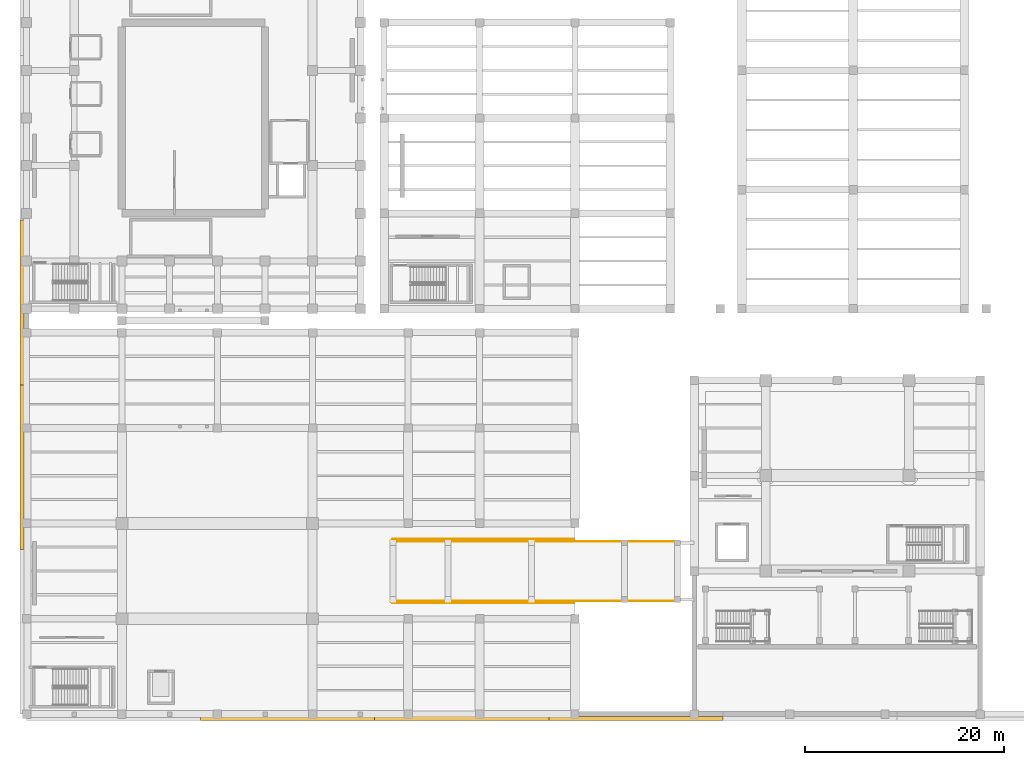
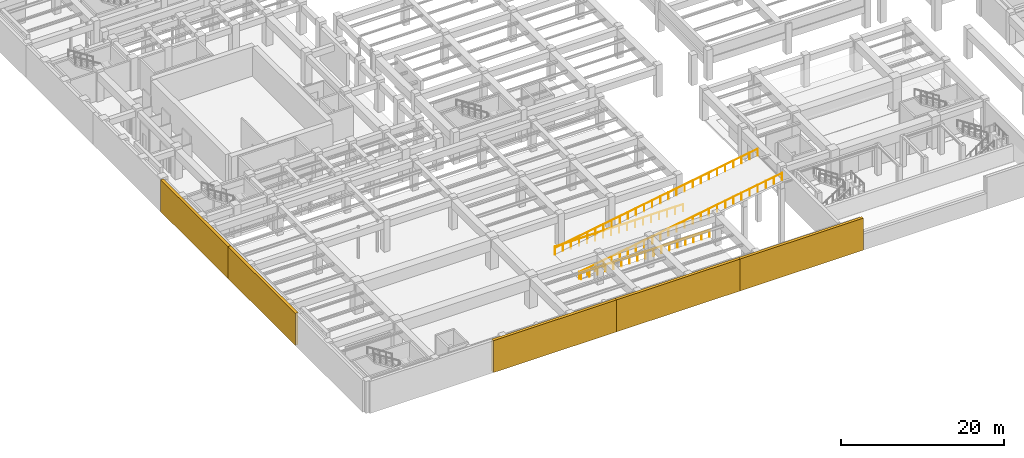
# One storey, part 33 of 45: 5 coverings, 4 railings.
"""IFC4 building model written with IfcOpenShell, lengths in metres."""

from ifc_helpers import new_model, si_unit, direction, frame, origin, origin_2d, place, context, subcontext, project, spatial, polyline, circle, outline, extrude, material, layer, layer_set, type_object, element, save


model = new_model("IFC4")

# Units and contexts
model_context = context("Model", 3, precision=1e-05, world=origin(), true_north=direction((0.0, 1.0)))
body_context = subcontext(model_context, "Body", "Model", "MODEL_VIEW")
ifc_project = project(units=[si_unit("LENGTHUNIT", "METRE"), si_unit("AREAUNIT", "SQUARE_METRE"), si_unit("VOLUMEUNIT", "CUBIC_METRE"), si_unit("PLANEANGLEUNIT", "RADIAN"), si_unit("MASSUNIT", "GRAM", prefix="KILO")], contexts=[model_context])

# Site, building, storey
site_placement = place(None, origin())
site = spatial("IfcSite", under=ifc_project, at=site_placement, CompositionType="ELEMENT")
building_placement = place(site_placement, origin())
building = spatial("IfcBuilding", under=site, at=building_placement, Name="Mavantir Sound Aquarium", CompositionType="ELEMENT")
storey_placement = place(building_placement, frame((0.0, 0.0, -4.800048828125)))
storey = spatial("IfcBuildingStorey", under=building, at=storey_placement, Name="B1", CompositionType="ELEMENT", Elevation=-4.800048828125)

# Coverings
ifc_material_1 = material(Name="Honed Coral-Limestone & Glazed Terracotta Rainscreen Cladding", Category="masonry")
ifc_layer = layer(ifc_material_1, 0.06005859375, Name="Honed Coral-Limestone & Glazed Terracotta Rainscreen Cladding")
ifc_layer_set = layer_set([ifc_layer], Name="Honed Coral-Limestone & Glazed Terracotta Rainscreen Cladding")
covering_type = type_object("IfcCoveringType", Name="COV-CLAD-TC", PredefinedType="CLADDING", material=ifc_layer_set)
covering_1_placement = place(storey_placement, origin())
element("IfcCovering", 1, at=covering_1_placement, inside=storey, type_object=covering_type, Name="B1 rusticated coral-stone plinth cladding 40", PredefinedType="CLADDING", context=body_context, shape_type="SweptSolid", body=[
    extrude(outline(polyline([(-0.25, 49.71435546875), (-0.25, 33.142822265625), (-0.659912109375, 33.142822265625), (-0.659912109375, 49.71435546875), (-0.25, 49.71435546875)])), origin(), (0.0, 0.0, 1.0), 4.800048828125),
])
covering_2_placement = place(storey_placement, origin())
element("IfcCovering", 2, at=covering_2_placement, inside=storey, type_object=covering_type, Name="B1 rusticated coral-stone plinth cladding 41", PredefinedType="CLADDING", context=body_context, shape_type="SweptSolid", body=[
    extrude(outline(polyline([(-0.25, 33.142822265625), (-0.25, 16.5712890625), (-0.659912109375, 16.5712890625), (-0.659912109375, 33.142822265625), (-0.25, 33.142822265625)])), origin(), (0.0, 0.0, 1.0), 4.800048828125),
])
covering_3_placement = place(storey_placement, origin())
element("IfcCovering", 3, at=covering_3_placement, inside=storey, type_object=covering_type, Name="B1 rusticated coral-stone plinth cladding 44", PredefinedType="CLADDING", context=body_context, shape_type="SweptSolid", body=[
    extrude(outline(polyline([(17.52001953125, -0.25), (35.0400390625, -0.25), (35.0400390625, -0.659912109375), (17.52001953125, -0.659912109375), (17.52001953125, -0.25)])), origin(), (0.0, 0.0, 1.0), 4.800048828125),
])
covering_4_placement = place(storey_placement, origin())
element("IfcCovering", 4, at=covering_4_placement, inside=storey, type_object=covering_type, Name="B1 rusticated coral-stone plinth cladding 45", PredefinedType="CLADDING", context=body_context, shape_type="SweptSolid", body=[
    extrude(outline(polyline([(35.0400390625, -0.25), (52.56005859375, -0.25), (52.56005859375, -0.659912109375), (35.0400390625, -0.659912109375), (35.0400390625, -0.25)])), origin(), (0.0, 0.0, 1.0), 4.800048828125),
])
covering_5_placement = place(storey_placement, origin())
element("IfcCovering", 5, at=covering_5_placement, inside=storey, type_object=covering_type, Name="B1 rusticated coral-stone plinth cladding 46", PredefinedType="CLADDING", context=body_context, shape_type="SweptSolid", body=[
    extrude(outline(polyline([(52.56005859375, -0.25), (70.080078125, -0.25), (70.080078125, -0.659912109375), (52.56005859375, -0.659912109375), (52.56005859375, -0.25)])), origin(), (0.0, 0.0, 1.0), 4.800048828125),
])

# Railings
ifc_material_2 = material(Name="Stainless Steel 316 and Laminated Glass Guardrail", Category="steel")
railing_type = type_object("IfcRailingType", Name="RL-GUARD-110", PredefinedType="GUARDRAIL", material=ifc_material_2)
railing_1_placement = place(storey_placement, frame((36.699951171875, 11.39990234375, 0.0)))
element("IfcRailing", 6, at=railing_1_placement, inside=storey, type_object=railing_type, Name="Vehicle ramp S guardrail", PredefinedType="GUARDRAIL", context=body_context, shape_type="SweptSolid", body=[
    extrude(circle(Radius=0.02392578125, at=origin_2d()), frame((0.0, 0.0, 1.076171875), z_axis=(0.986393697838, 0.0, 0.164400343264), x_axis=(0.0, 1.0, 0.0)), (0.0, 0.0, 1.0), 29.197265625),
    extrude(circle(Radius=0.02099609375, at=origin_2d()), origin(), (0.0, 0.0, 1.0), 1.052001953125),
    extrude(circle(Radius=0.02099609375, at=origin_2d()), frame((1.152099609375, 0.0, 0.19189453125)), (0.0, 0.0, 1.0), 1.052001953125),
    extrude(circle(Radius=0.02099609375, at=origin_2d()), frame((2.303955078125, 0.0, 0.384033203125)), (0.0, 0.0, 1.0), 1.052001953125),
    extrude(circle(Radius=0.02099609375, at=origin_2d()), frame((3.4560546875, 0.0, 0.575927734375)), (0.0, 0.0, 1.0), 1.052001953125),
    extrude(circle(Radius=0.02099609375, at=origin_2d()), frame((4.60791015625, 0.0, 0.76806640625)), (0.0, 0.0, 1.0), 1.052001953125),
    extrude(circle(Radius=0.02099609375, at=origin_2d()), frame((5.760009765625, 0.0, 0.9599609375)), (0.0, 0.0, 1.0), 1.052001953125),
    extrude(circle(Radius=0.02099609375, at=origin_2d()), frame((6.912109375, 0.0, 1.152099609375)), (0.0, 0.0, 1.0), 1.052001953125),
    extrude(circle(Radius=0.02099609375, at=origin_2d()), frame((8.06396484375, 0.0, 1.343994140625)), (0.0, 0.0, 1.0), 1.052001953125),
    extrude(circle(Radius=0.02099609375, at=origin_2d()), frame((9.216064453125, 0.0, 1.5361328125)), (0.0, 0.0, 1.0), 1.052001953125),
    extrude(circle(Radius=0.02099609375, at=origin_2d()), frame((10.367919921875, 0.0, 1.72802734375)), (0.0, 0.0, 1.0), 1.052001953125),
    extrude(circle(Radius=0.02099609375, at=origin_2d()), frame((11.52001953125, 0.0, 1.919921875)), (0.0, 0.0, 1.0), 1.052001953125),
    extrude(circle(Radius=0.02099609375, at=origin_2d()), frame((12.672119140625, 0.0, 2.112060546875)), (0.0, 0.0, 1.0), 1.052001953125),
    extrude(circle(Radius=0.02099609375, at=origin_2d()), frame((13.823974609375, 0.0, 2.303955078125)), (0.0, 0.0, 1.0), 1.052001953125),
    extrude(circle(Radius=0.02099609375, at=origin_2d()), frame((14.97607421875, 0.0, 2.49609375)), (0.0, 0.0, 1.0), 1.052001953125),
    extrude(circle(Radius=0.02099609375, at=origin_2d()), frame((16.1279296875, 0.0, 2.68798828125)), (0.0, 0.0, 1.0), 1.052001953125),
    extrude(circle(Radius=0.02099609375, at=origin_2d()), frame((17.280029296875, 0.0, 2.880126953125)), (0.0, 0.0, 1.0), 1.052001953125),
    extrude(circle(Radius=0.02099609375, at=origin_2d()), frame((18.43212890625, 0.0, 3.072021484375)), (0.0, 0.0, 1.0), 1.052001953125),
    extrude(circle(Radius=0.02099609375, at=origin_2d()), frame((19.583984375, 0.0, 3.263916015625)), (0.0, 0.0, 1.0), 1.052001953125),
    extrude(circle(Radius=0.02099609375, at=origin_2d()), frame((20.736083984375, 0.0, 3.4560546875)), (0.0, 0.0, 1.0), 1.052001953125),
    extrude(circle(Radius=0.02099609375, at=origin_2d()), frame((21.887939453125, 0.0, 3.64794921875)), (0.0, 0.0, 1.0), 1.052001953125),
    extrude(circle(Radius=0.02099609375, at=origin_2d()), frame((23.0400390625, 0.0, 3.840087890625)), (0.0, 0.0, 1.0), 1.052001953125),
    extrude(circle(Radius=0.02099609375, at=origin_2d()), frame((24.192138671875, 0.0, 4.031982421875)), (0.0, 0.0, 1.0), 1.052001953125),
    extrude(circle(Radius=0.02099609375, at=origin_2d()), frame((25.343994140625, 0.0, 4.22412109375)), (0.0, 0.0, 1.0), 1.052001953125),
    extrude(circle(Radius=0.02099609375, at=origin_2d()), frame((26.49609375, 0.0, 4.416015625)), (0.0, 0.0, 1.0), 1.052001953125),
    extrude(circle(Radius=0.02099609375, at=origin_2d()), frame((27.64794921875, 0.0, 4.608154296875)), (0.0, 0.0, 1.0), 1.052001953125),
    extrude(circle(Radius=0.02099609375, at=origin_2d()), frame((28.800048828125, 0.0, 4.800048828125)), (0.0, 0.0, 1.0), 1.052001953125),
])
railing_2_placement = place(storey_placement, frame((36.699951171875, 17.39990234375, 0.0)))
element("IfcRailing", 7, at=railing_2_placement, inside=storey, type_object=railing_type, Name="Vehicle ramp N guardrail", PredefinedType="GUARDRAIL", context=body_context, shape_type="SweptSolid", body=[
    extrude(circle(Radius=0.02392578125, at=origin_2d()), frame((0.0, 0.0, 1.076171875), z_axis=(0.986393697838, 0.0, 0.164400343264), x_axis=(0.0, 1.0, 0.0)), (0.0, 0.0, 1.0), 29.197265625),
    extrude(circle(Radius=0.02099609375, at=origin_2d()), origin(), (0.0, 0.0, 1.0), 1.052001953125),
    extrude(circle(Radius=0.02099609375, at=origin_2d()), frame((1.152099609375, 0.0, 0.19189453125)), (0.0, 0.0, 1.0), 1.052001953125),
    extrude(circle(Radius=0.02099609375, at=origin_2d()), frame((2.303955078125, 0.0, 0.384033203125)), (0.0, 0.0, 1.0), 1.052001953125),
    extrude(circle(Radius=0.02099609375, at=origin_2d()), frame((3.4560546875, 0.0, 0.575927734375)), (0.0, 0.0, 1.0), 1.052001953125),
    extrude(circle(Radius=0.02099609375, at=origin_2d()), frame((4.60791015625, 0.0, 0.76806640625)), (0.0, 0.0, 1.0), 1.052001953125),
    extrude(circle(Radius=0.02099609375, at=origin_2d()), frame((5.760009765625, 0.0, 0.9599609375)), (0.0, 0.0, 1.0), 1.052001953125),
    extrude(circle(Radius=0.02099609375, at=origin_2d()), frame((6.912109375, 0.0, 1.152099609375)), (0.0, 0.0, 1.0), 1.052001953125),
    extrude(circle(Radius=0.02099609375, at=origin_2d()), frame((8.06396484375, 0.0, 1.343994140625)), (0.0, 0.0, 1.0), 1.052001953125),
    extrude(circle(Radius=0.02099609375, at=origin_2d()), frame((9.216064453125, 0.0, 1.5361328125)), (0.0, 0.0, 1.0), 1.052001953125),
    extrude(circle(Radius=0.02099609375, at=origin_2d()), frame((10.367919921875, 0.0, 1.72802734375)), (0.0, 0.0, 1.0), 1.052001953125),
    extrude(circle(Radius=0.02099609375, at=origin_2d()), frame((11.52001953125, 0.0, 1.919921875)), (0.0, 0.0, 1.0), 1.052001953125),
    extrude(circle(Radius=0.02099609375, at=origin_2d()), frame((12.672119140625, 0.0, 2.112060546875)), (0.0, 0.0, 1.0), 1.052001953125),
    extrude(circle(Radius=0.02099609375, at=origin_2d()), frame((13.823974609375, 0.0, 2.303955078125)), (0.0, 0.0, 1.0), 1.052001953125),
    extrude(circle(Radius=0.02099609375, at=origin_2d()), frame((14.97607421875, 0.0, 2.49609375)), (0.0, 0.0, 1.0), 1.052001953125),
    extrude(circle(Radius=0.02099609375, at=origin_2d()), frame((16.1279296875, 0.0, 2.68798828125)), (0.0, 0.0, 1.0), 1.052001953125),
    extrude(circle(Radius=0.02099609375, at=origin_2d()), frame((17.280029296875, 0.0, 2.880126953125)), (0.0, 0.0, 1.0), 1.052001953125),
    extrude(circle(Radius=0.02099609375, at=origin_2d()), frame((18.43212890625, 0.0, 3.072021484375)), (0.0, 0.0, 1.0), 1.052001953125),
    extrude(circle(Radius=0.02099609375, at=origin_2d()), frame((19.583984375, 0.0, 3.263916015625)), (0.0, 0.0, 1.0), 1.052001953125),
    extrude(circle(Radius=0.02099609375, at=origin_2d()), frame((20.736083984375, 0.0, 3.4560546875)), (0.0, 0.0, 1.0), 1.052001953125),
    extrude(circle(Radius=0.02099609375, at=origin_2d()), frame((21.887939453125, 0.0, 3.64794921875)), (0.0, 0.0, 1.0), 1.052001953125),
    extrude(circle(Radius=0.02099609375, at=origin_2d()), frame((23.0400390625, 0.0, 3.840087890625)), (0.0, 0.0, 1.0), 1.052001953125),
    extrude(circle(Radius=0.02099609375, at=origin_2d()), frame((24.192138671875, 0.0, 4.031982421875)), (0.0, 0.0, 1.0), 1.052001953125),
    extrude(circle(Radius=0.02099609375, at=origin_2d()), frame((25.343994140625, 0.0, 4.22412109375)), (0.0, 0.0, 1.0), 1.052001953125),
    extrude(circle(Radius=0.02099609375, at=origin_2d()), frame((26.49609375, 0.0, 4.416015625)), (0.0, 0.0, 1.0), 1.052001953125),
    extrude(circle(Radius=0.02099609375, at=origin_2d()), frame((27.64794921875, 0.0, 4.608154296875)), (0.0, 0.0, 1.0), 1.052001953125),
    extrude(circle(Radius=0.02099609375, at=origin_2d()), frame((28.800048828125, 0.0, 4.800048828125)), (0.0, 0.0, 1.0), 1.052001953125),
])
railing_3_placement = place(storey_placement, frame((36.85009765625, 11.179931640625, 0.0)))
element("IfcRailing", 8, at=railing_3_placement, inside=storey, type_object=railing_type, Name="B1 car park ramp opening S guardrail", PredefinedType="GUARDRAIL", context=body_context, shape_type="SweptSolid", body=[
    extrude(circle(Radius=0.02392578125, at=origin_2d()), frame((0.0, 0.0, 1.076171875), z_axis=(1.0, 0.0, 0.0), x_axis=(0.0, 1.0, 0.0)), (0.0, 0.0, 1.0), 18.199951171875),
    extrude(circle(Radius=0.02099609375, at=origin_2d()), origin(), (0.0, 0.0, 1.0), 1.052001953125),
    extrude(circle(Radius=0.02099609375, at=origin_2d()), frame((1.137451171875, 0.0, 0.0)), (0.0, 0.0, 1.0), 1.052001953125),
    extrude(circle(Radius=0.02099609375, at=origin_2d()), frame((2.27490234375, 0.0, 0.0)), (0.0, 0.0, 1.0), 1.052001953125),
    extrude(circle(Radius=0.02099609375, at=origin_2d()), frame((3.41259765625, 0.0, 0.0)), (0.0, 0.0, 1.0), 1.052001953125),
    extrude(circle(Radius=0.02099609375, at=origin_2d()), frame((4.550048828125, 0.0, 0.0)), (0.0, 0.0, 1.0), 1.052001953125),
    extrude(circle(Radius=0.02099609375, at=origin_2d()), frame((5.6875, 0.0, 0.0)), (0.0, 0.0, 1.0), 1.052001953125),
    extrude(circle(Radius=0.02099609375, at=origin_2d()), frame((6.824951171875, 0.0, 0.0)), (0.0, 0.0, 1.0), 1.052001953125),
    extrude(circle(Radius=0.02099609375, at=origin_2d()), frame((7.96240234375, 0.0, 0.0)), (0.0, 0.0, 1.0), 1.052001953125),
    extrude(circle(Radius=0.02099609375, at=origin_2d()), frame((9.10009765625, 0.0, 0.0)), (0.0, 0.0, 1.0), 1.052001953125),
    extrude(circle(Radius=0.02099609375, at=origin_2d()), frame((10.237548828125, 0.0, 0.0)), (0.0, 0.0, 1.0), 1.052001953125),
    extrude(circle(Radius=0.02099609375, at=origin_2d()), frame((11.375, 0.0, 0.0)), (0.0, 0.0, 1.0), 1.052001953125),
    extrude(circle(Radius=0.02099609375, at=origin_2d()), frame((12.512451171875, 0.0, 0.0)), (0.0, 0.0, 1.0), 1.052001953125),
    extrude(circle(Radius=0.02099609375, at=origin_2d()), frame((13.64990234375, 0.0, 0.0)), (0.0, 0.0, 1.0), 1.052001953125),
    extrude(circle(Radius=0.02099609375, at=origin_2d()), frame((14.787353515625, 0.0, 0.0)), (0.0, 0.0, 1.0), 1.052001953125),
    extrude(circle(Radius=0.02099609375, at=origin_2d()), frame((15.925048828125, 0.0, 0.0)), (0.0, 0.0, 1.0), 1.052001953125),
    extrude(circle(Radius=0.02099609375, at=origin_2d()), frame((17.0625, 0.0, 0.0)), (0.0, 0.0, 1.0), 1.052001953125),
    extrude(circle(Radius=0.02099609375, at=origin_2d()), frame((18.199951171875, 0.0, 0.0)), (0.0, 0.0, 1.0), 1.052001953125),
])
railing_4_placement = place(storey_placement, frame((36.85009765625, 17.6201171875, 0.0)))
element("IfcRailing", 9, at=railing_4_placement, inside=storey, type_object=railing_type, Name="B1 car park ramp opening N guardrail", PredefinedType="GUARDRAIL", context=body_context, shape_type="SweptSolid", body=[
    extrude(circle(Radius=0.02392578125, at=origin_2d()), frame((0.0, 0.0, 1.076171875), z_axis=(1.0, 0.0, 0.0), x_axis=(0.0, 1.0, 0.0)), (0.0, 0.0, 1.0), 18.199951171875),
    extrude(circle(Radius=0.02099609375, at=origin_2d()), origin(), (0.0, 0.0, 1.0), 1.052001953125),
    extrude(circle(Radius=0.02099609375, at=origin_2d()), frame((1.137451171875, 0.0, 0.0)), (0.0, 0.0, 1.0), 1.052001953125),
    extrude(circle(Radius=0.02099609375, at=origin_2d()), frame((2.27490234375, 0.0, 0.0)), (0.0, 0.0, 1.0), 1.052001953125),
    extrude(circle(Radius=0.02099609375, at=origin_2d()), frame((3.41259765625, 0.0, 0.0)), (0.0, 0.0, 1.0), 1.052001953125),
    extrude(circle(Radius=0.02099609375, at=origin_2d()), frame((4.550048828125, 0.0, 0.0)), (0.0, 0.0, 1.0), 1.052001953125),
    extrude(circle(Radius=0.02099609375, at=origin_2d()), frame((5.6875, 0.0, 0.0)), (0.0, 0.0, 1.0), 1.052001953125),
    extrude(circle(Radius=0.02099609375, at=origin_2d()), frame((6.824951171875, 0.0, 0.0)), (0.0, 0.0, 1.0), 1.052001953125),
    extrude(circle(Radius=0.02099609375, at=origin_2d()), frame((7.96240234375, 0.0, 0.0)), (0.0, 0.0, 1.0), 1.052001953125),
    extrude(circle(Radius=0.02099609375, at=origin_2d()), frame((9.10009765625, 0.0, 0.0)), (0.0, 0.0, 1.0), 1.052001953125),
    extrude(circle(Radius=0.02099609375, at=origin_2d()), frame((10.237548828125, 0.0, 0.0)), (0.0, 0.0, 1.0), 1.052001953125),
    extrude(circle(Radius=0.02099609375, at=origin_2d()), frame((11.375, 0.0, 0.0)), (0.0, 0.0, 1.0), 1.052001953125),
    extrude(circle(Radius=0.02099609375, at=origin_2d()), frame((12.512451171875, 0.0, 0.0)), (0.0, 0.0, 1.0), 1.052001953125),
    extrude(circle(Radius=0.02099609375, at=origin_2d()), frame((13.64990234375, 0.0, 0.0)), (0.0, 0.0, 1.0), 1.052001953125),
    extrude(circle(Radius=0.02099609375, at=origin_2d()), frame((14.787353515625, 0.0, 0.0)), (0.0, 0.0, 1.0), 1.052001953125),
    extrude(circle(Radius=0.02099609375, at=origin_2d()), frame((15.925048828125, 0.0, 0.0)), (0.0, 0.0, 1.0), 1.052001953125),
    extrude(circle(Radius=0.02099609375, at=origin_2d()), frame((17.0625, 0.0, 0.0)), (0.0, 0.0, 1.0), 1.052001953125),
    extrude(circle(Radius=0.02099609375, at=origin_2d()), frame((18.199951171875, 0.0, 0.0)), (0.0, 0.0, 1.0), 1.052001953125),
])

save(model, "model.ifc")
